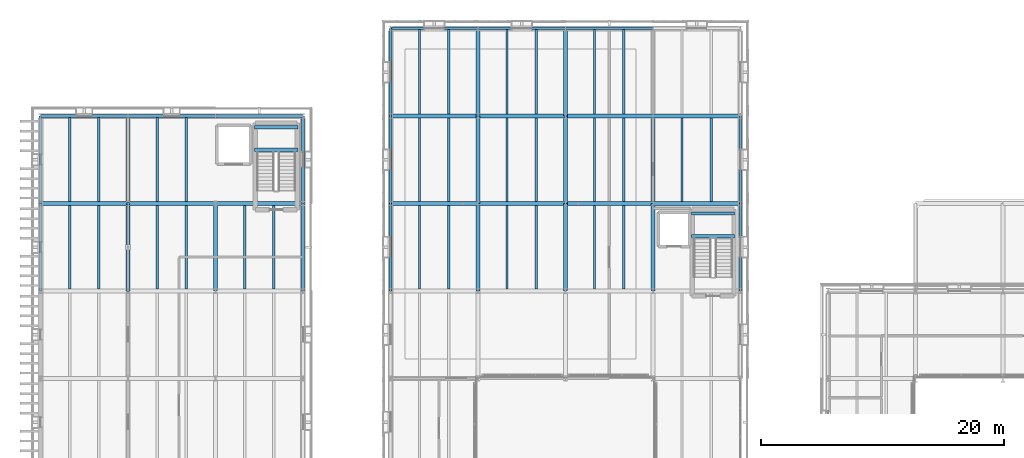
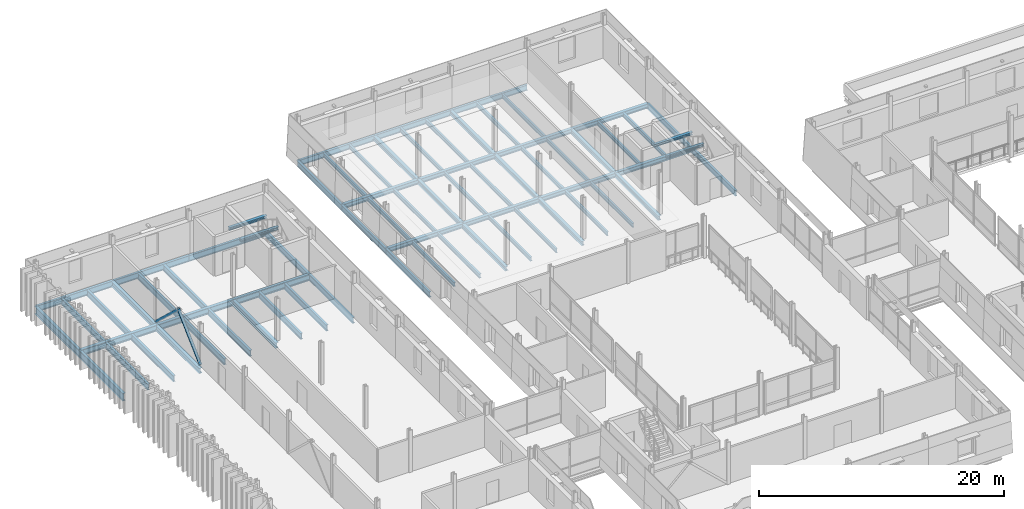
# One storey, part 27 of 115: 71 beams, 2 members.
"""IFC4 building model written with IfcOpenShell, lengths in metres."""

from ifc_helpers import new_model, si_unit, direction, frame, origin, origin_2d, place, context, subcontext, project, spatial, hollow_circle, i_section, extrude, material, material_profile, profile_set, type_object, element, save


model = new_model("IFC4")

# Units and contexts
model_context = context("Model", 3, precision=1e-05, world=origin(), true_north=direction((0.0, 1.0)))
body_context = subcontext(model_context, "Body", "Model", "MODEL_VIEW")
ifc_project = project(units=[si_unit("LENGTHUNIT", "METRE"), si_unit("AREAUNIT", "SQUARE_METRE"), si_unit("VOLUMEUNIT", "CUBIC_METRE"), si_unit("PLANEANGLEUNIT", "RADIAN"), si_unit("MASSUNIT", "GRAM", prefix="KILO")], contexts=[model_context])

# Site, building, storey
site_placement = place(None, origin())
site = spatial("IfcSite", under=ifc_project, at=site_placement, CompositionType="ELEMENT")
building_placement = place(site_placement, origin())
building = spatial("IfcBuilding", under=site, at=building_placement, Name="Narikvali Park Central Library", CompositionType="ELEMENT")
storey_placement = place(building_placement, frame((0.0, 0.0, 10.199951171875)))
storey = spatial("IfcBuildingStorey", under=building, at=storey_placement, Name="L02", CompositionType="ELEMENT", Elevation=10.199951171875)

# Beams
ifc_material = material(Name="Steel S355", Category="steel")
ifc_material_profile_1 = material_profile(ifc_material, i_section(OverallWidth=0.219970703125, OverallDepth=0.60009765625, WebThickness=0.011962890625, FlangeThickness=0.01904296875, FilletRadius=0.02392578125, at=origin_2d()), Name="IPE 600")
ifc_profile_set_1 = profile_set([ifc_material_profile_1], Name="Steel S355")
beam_type_1 = type_object("IfcBeamType", Name="Compact Archive Joist IPE600", PredefinedType="JOIST", material=ifc_profile_set_1)
for number, where, z_axis, x_axis, name in (
    (1, (2.39990234375, 93.75, -0.599853515625), (0.0, 1.0, 0.0), (-1.0, 0.0, 0.0), "V5 L02 Composite Joist 1"),
    (2, (4.800048828125, 93.75, -0.599853515625), (0.0, 1.0, 0.0), (-1.0, 0.0, 0.0), "V5 L02 Composite Joist 2"),
):
    element("IfcBeam", number, at=place(storey_placement, frame(where, z_axis=z_axis, x_axis=x_axis)), inside=storey, type_object=beam_type_1, Name=name, PredefinedType="JOIST", context=body_context, shape_type="SweptSolid", body=[
        extrude(i_section(OverallWidth=0.219970703125, OverallDepth=0.60009765625, WebThickness=0.011962890625, FlangeThickness=0.01904296875, FilletRadius=0.02392578125, at=origin_2d()), origin(), (0.0, 0.0, 1.0), 6.89990234375),
    ])
for number, where, z_axis, x_axis, name in (
    (3, (2.39990234375, 100.949951171875, -0.599853515625), (0.0, 1.0, 0.0), (-1.0, 0.0, 0.0), "V5 L02 Composite Joist 1"),
    (4, (4.800048828125, 100.949951171875, -0.599853515625), (0.0, 1.0, 0.0), (-1.0, 0.0, 0.0), "V5 L02 Composite Joist 2"),
):
    element("IfcBeam", number, at=place(storey_placement, frame(where, z_axis=z_axis, x_axis=x_axis)), inside=storey, type_object=beam_type_1, Name=name, PredefinedType="JOIST", context=body_context, shape_type="SweptSolid", body=[
        extrude(i_section(OverallWidth=0.219970703125, OverallDepth=0.60009765625, WebThickness=0.011962890625, FlangeThickness=0.01904296875, FilletRadius=0.02392578125, at=origin_2d()), origin(), (0.0, 0.0, 1.0), 6.93994140625),
    ])
for number, where, z_axis, x_axis, name in (
    (5, (9.60009765625, 93.75, -0.599853515625), (0.0, 1.0, 0.0), (-1.0, 0.0, 0.0), "V5 L02 Composite Joist 1"),
    (6, (12.0, 93.75, -0.599853515625), (0.0, 1.0, 0.0), (-1.0, 0.0, 0.0), "V5 L02 Composite Joist 2"),
):
    element("IfcBeam", number, at=place(storey_placement, frame(where, z_axis=z_axis, x_axis=x_axis)), inside=storey, type_object=beam_type_1, Name=name, PredefinedType="JOIST", context=body_context, shape_type="SweptSolid", body=[
        extrude(i_section(OverallWidth=0.219970703125, OverallDepth=0.60009765625, WebThickness=0.011962890625, FlangeThickness=0.01904296875, FilletRadius=0.02392578125, at=origin_2d()), origin(), (0.0, 0.0, 1.0), 6.89990234375),
    ])
for number, where, z_axis, x_axis, name in (
    (7, (9.60009765625, 100.949951171875, -0.599853515625), (0.0, 1.0, 0.0), (-1.0, 0.0, 0.0), "V5 L02 Composite Joist 1"),
    (8, (12.0, 100.949951171875, -0.599853515625), (0.0, 1.0, 0.0), (-1.0, 0.0, 0.0), "V5 L02 Composite Joist 2"),
):
    element("IfcBeam", number, at=place(storey_placement, frame(where, z_axis=z_axis, x_axis=x_axis)), inside=storey, type_object=beam_type_1, Name=name, PredefinedType="JOIST", context=body_context, shape_type="SweptSolid", body=[
        extrude(i_section(OverallWidth=0.219970703125, OverallDepth=0.60009765625, WebThickness=0.011962890625, FlangeThickness=0.01904296875, FilletRadius=0.02392578125, at=origin_2d()), origin(), (0.0, 0.0, 1.0), 6.93994140625),
    ])
for number, where, z_axis, x_axis, name in (
    (9, (16.800048828125, 93.75, -0.599853515625), (0.0, 1.0, 0.0), (-1.0, 0.0, 0.0), "V5 L02 Composite Joist 1"),
    (10, (19.199951171875, 93.75, -0.599853515625), (0.0, 1.0, 0.0), (-1.0, 0.0, 0.0), "V5 L02 Composite Joist 2"),
):
    element("IfcBeam", number, at=place(storey_placement, frame(where, z_axis=z_axis, x_axis=x_axis)), inside=storey, type_object=beam_type_1, Name=name, PredefinedType="JOIST", context=body_context, shape_type="SweptSolid", body=[
        extrude(i_section(OverallWidth=0.219970703125, OverallDepth=0.60009765625, WebThickness=0.011962890625, FlangeThickness=0.01904296875, FilletRadius=0.02392578125, at=origin_2d()), origin(), (0.0, 0.0, 1.0), 6.89990234375),
    ])
ifc_material_profile_2 = material_profile(ifc_material, i_section(OverallWidth=0.260009765625, OverallDepth=0.260009765625, WebThickness=0.010009765625, FlangeThickness=0.017578125, FilletRadius=0.02392578125, at=origin_2d()), Name="HEB 260")
ifc_profile_set_2 = profile_set([ifc_material_profile_2], Name="Steel S355")
beam_type_2 = type_object("IfcBeamType", Name="Core Trimmer Girder HEB260", PredefinedType="BEAM", material=ifc_profile_set_2)
for number, where, z_axis, x_axis, name in (
    (11, (53.570068359375, 98.10498046875, 1.77001953125), (1.0, 0.0, 0.0), (0.0, 1.0, 0.0), "ST-08 L02 Landing Trimmer Beam 1-1"),
    (12, (53.570068359375, 99.97998046875, 1.77001953125), (1.0, 0.0, 0.0), (0.0, 1.0, 0.0), "ST-08 L02 Landing Trimmer Beam 1-2"),
):
    element("IfcBeam", number, at=place(storey_placement, frame(where, z_axis=z_axis, x_axis=x_axis)), inside=storey, type_object=beam_type_2, Name=name, PredefinedType="BEAM", context=body_context, shape_type="SweptSolid", body=[
        extrude(i_section(OverallWidth=0.260009765625, OverallDepth=0.260009765625, WebThickness=0.010009765625, FlangeThickness=0.017578125, FilletRadius=0.02392578125, at=origin_2d()), origin(), (0.0, 0.0, 1.0), 3.559814453125),
    ])
ifc_material_profile_3 = material_profile(ifc_material, i_section(OverallWidth=0.280029296875, OverallDepth=0.280029296875, WebThickness=0.010498046875, FlangeThickness=0.01806640625, FilletRadius=0.02392578125, at=origin_2d()), Name="HEB 280")
ifc_profile_set_3 = profile_set([ifc_material_profile_3], Name="Steel S355")
beam_type_3 = type_object("IfcBeamType", Name="Core Trimmer Girder HEB280", PredefinedType="BEAM", material=ifc_profile_set_3)
for number, where, z_axis, x_axis, name in (
    (13, (17.6201171875, 105.205078125, 1.760009765625), (1.0, 0.0, 0.0), (0.0, 1.0, 0.0), "ST-10 L02 Landing Trimmer Beam 1-1"),
    (14, (17.6201171875, 107.080078125, 1.760009765625), (1.0, 0.0, 0.0), (0.0, 1.0, 0.0), "ST-10 L02 Landing Trimmer Beam 1-2"),
):
    element("IfcBeam", number, at=place(storey_placement, frame(where, z_axis=z_axis, x_axis=x_axis)), inside=storey, type_object=beam_type_3, Name=name, PredefinedType="BEAM", context=body_context, shape_type="SweptSolid", body=[
        extrude(i_section(OverallWidth=0.280029296875, OverallDepth=0.280029296875, WebThickness=0.010498046875, FlangeThickness=0.01806640625, FilletRadius=0.02392578125, at=origin_2d()), origin(), (0.0, 0.0, 1.0), 3.559814453125),
    ])
ifc_material_profile_4 = material_profile(ifc_material, i_section(OverallWidth=0.264892578125, OverallDepth=0.7529296875, WebThickness=0.01318359375, FlangeThickness=0.01708984375, FilletRadius=0.01708984375, at=origin_2d()), Name="IPE 750x147")
ifc_profile_set_4 = profile_set([ifc_material_profile_4], Name="Steel S355")
beam_type_4 = type_object("IfcBeamType", Name="Fin Facade Spandrel IPE750", PredefinedType="SPANDREL", material=ifc_profile_set_4)
beam_1_placement = place(storey_placement, frame((0.0, 93.60791015625, -0.676513671875), z_axis=(0.0, 1.0, 0.0), x_axis=(-1.0, 0.0, 0.0)))
element("IfcBeam", 15, at=beam_1_placement, inside=storey, type_object=beam_type_4, Name="V5 L02 Girder Y", PredefinedType="SPANDREL", context=body_context, shape_type="SweptSolid", body=[
    extrude(i_section(OverallWidth=0.264892578125, OverallDepth=0.7529296875, WebThickness=0.01318359375, FlangeThickness=0.01708984375, FilletRadius=0.01708984375, at=origin_2d()), origin(), (0.0, 0.0, 1.0), 7.18408203125),
])
beam_2_placement = place(storey_placement, frame((0.0, 100.80810546875, -0.676513671875), z_axis=(0.0, 1.0, 0.0), x_axis=(-1.0, 0.0, 0.0)))
element("IfcBeam", 16, at=beam_2_placement, inside=storey, type_object=beam_type_4, Name="V5 L02 Girder Y", PredefinedType="SPANDREL", context=body_context, shape_type="SweptSolid", body=[
    extrude(i_section(OverallWidth=0.264892578125, OverallDepth=0.7529296875, WebThickness=0.01318359375, FlangeThickness=0.01708984375, FilletRadius=0.01708984375, at=origin_2d()), origin(), (0.0, 0.0, 1.0), 7.183837890625),
])
ifc_material_profile_5 = material_profile(ifc_material, i_section(OverallWidth=0.181884765625, OverallDepth=0.404052734375, WebThickness=0.009765625, FlangeThickness=0.015380859375, FilletRadius=0.02099609375, at=origin_2d()), Name="IPEO 400")
ifc_profile_set_5 = profile_set([ifc_material_profile_5], Name="Steel S355")
beam_type_5 = type_object("IfcBeamType", Name="Gallery Floor Joist IPEO400", PredefinedType="JOIST", material=ifc_profile_set_5)
for number, where, z_axis, x_axis, name in (
    (17, (31.199951171875, 93.75, -0.48193359375), (0.0, 1.0, 0.0), (-1.0, 0.0, 0.0), "V4 L02 Composite Joist 1"),
    (18, (33.60009765625, 93.75, -0.48193359375), (0.0, 1.0, 0.0), (-1.0, 0.0, 0.0), "V4 L02 Composite Joist 2"),
):
    element("IfcBeam", number, at=place(storey_placement, frame(where, z_axis=z_axis, x_axis=x_axis)), inside=storey, type_object=beam_type_5, Name=name, PredefinedType="JOIST", context=body_context, shape_type="SweptSolid", body=[
        extrude(i_section(OverallWidth=0.181884765625, OverallDepth=0.404052734375, WebThickness=0.009765625, FlangeThickness=0.015380859375, FilletRadius=0.02099609375, at=origin_2d()), origin(), (0.0, 0.0, 1.0), 6.89990234375),
    ])
for number, where, z_axis, x_axis, name in (
    (19, (31.199951171875, 100.949951171875, -0.48193359375), (0.0, 1.0, 0.0), (-1.0, 0.0, 0.0), "V4 L02 Composite Joist 1"),
    (20, (33.60009765625, 100.949951171875, -0.48193359375), (0.0, 1.0, 0.0), (-1.0, 0.0, 0.0), "V4 L02 Composite Joist 2"),
):
    element("IfcBeam", number, at=place(storey_placement, frame(where, z_axis=z_axis, x_axis=x_axis)), inside=storey, type_object=beam_type_5, Name=name, PredefinedType="JOIST", context=body_context, shape_type="SweptSolid", body=[
        extrude(i_section(OverallWidth=0.181884765625, OverallDepth=0.404052734375, WebThickness=0.009765625, FlangeThickness=0.015380859375, FilletRadius=0.02099609375, at=origin_2d()), origin(), (0.0, 0.0, 1.0), 6.900146484375),
    ])
for number, where, z_axis, x_axis, name in (
    (21, (31.199951171875, 108.14990234375, -0.48193359375), (0.0, 1.0, 0.0), (-1.0, 0.0, 0.0), "V4 L02 Composite Joist 1"),
    (22, (33.60009765625, 108.14990234375, -0.48193359375), (0.0, 1.0, 0.0), (-1.0, 0.0, 0.0), "V4 L02 Composite Joist 2"),
):
    element("IfcBeam", number, at=place(storey_placement, frame(where, z_axis=z_axis, x_axis=x_axis)), inside=storey, type_object=beam_type_5, Name=name, PredefinedType="JOIST", context=body_context, shape_type="SweptSolid", body=[
        extrude(i_section(OverallWidth=0.181884765625, OverallDepth=0.404052734375, WebThickness=0.009765625, FlangeThickness=0.015380859375, FilletRadius=0.02099609375, at=origin_2d()), origin(), (0.0, 0.0, 1.0), 6.945068359375),
    ])
for number, where, z_axis, x_axis, name in (
    (23, (38.39990234375, 93.75, -0.48193359375), (0.0, 1.0, 0.0), (-1.0, 0.0, 0.0), "V4 L02 Composite Joist 1"),
    (24, (40.800048828125, 93.75, -0.48193359375), (0.0, 1.0, 0.0), (-1.0, 0.0, 0.0), "V4 L02 Composite Joist 2"),
):
    element("IfcBeam", number, at=place(storey_placement, frame(where, z_axis=z_axis, x_axis=x_axis)), inside=storey, type_object=beam_type_5, Name=name, PredefinedType="JOIST", context=body_context, shape_type="SweptSolid", body=[
        extrude(i_section(OverallWidth=0.181884765625, OverallDepth=0.404052734375, WebThickness=0.009765625, FlangeThickness=0.015380859375, FilletRadius=0.02099609375, at=origin_2d()), origin(), (0.0, 0.0, 1.0), 6.89990234375),
    ])
for number, where, z_axis, x_axis, name in (
    (25, (38.39990234375, 100.949951171875, -0.48193359375), (0.0, 1.0, 0.0), (-1.0, 0.0, 0.0), "V4 L02 Composite Joist 1"),
    (26, (40.800048828125, 100.949951171875, -0.48193359375), (0.0, 1.0, 0.0), (-1.0, 0.0, 0.0), "V4 L02 Composite Joist 2"),
):
    element("IfcBeam", number, at=place(storey_placement, frame(where, z_axis=z_axis, x_axis=x_axis)), inside=storey, type_object=beam_type_5, Name=name, PredefinedType="JOIST", context=body_context, shape_type="SweptSolid", body=[
        extrude(i_section(OverallWidth=0.181884765625, OverallDepth=0.404052734375, WebThickness=0.009765625, FlangeThickness=0.015380859375, FilletRadius=0.02099609375, at=origin_2d()), origin(), (0.0, 0.0, 1.0), 6.900146484375),
    ])
for number, where, z_axis, x_axis, name in (
    (27, (38.39990234375, 108.14990234375, -0.48193359375), (0.0, 1.0, 0.0), (-1.0, 0.0, 0.0), "V4 L02 Composite Joist 1"),
    (28, (40.800048828125, 108.14990234375, -0.48193359375), (0.0, 1.0, 0.0), (-1.0, 0.0, 0.0), "V4 L02 Composite Joist 2"),
):
    element("IfcBeam", number, at=place(storey_placement, frame(where, z_axis=z_axis, x_axis=x_axis)), inside=storey, type_object=beam_type_5, Name=name, PredefinedType="JOIST", context=body_context, shape_type="SweptSolid", body=[
        extrude(i_section(OverallWidth=0.181884765625, OverallDepth=0.404052734375, WebThickness=0.009765625, FlangeThickness=0.015380859375, FilletRadius=0.02099609375, at=origin_2d()), origin(), (0.0, 0.0, 1.0), 6.945068359375),
    ])
for number, where, z_axis, x_axis, name in (
    (29, (45.60009765625, 93.75, -0.48193359375), (0.0, 1.0, 0.0), (-1.0, 0.0, 0.0), "V4 L02 Composite Joist 1"),
    (30, (48.0, 93.75, -0.48193359375), (0.0, 1.0, 0.0), (-1.0, 0.0, 0.0), "V4 L02 Composite Joist 2"),
):
    element("IfcBeam", number, at=place(storey_placement, frame(where, z_axis=z_axis, x_axis=x_axis)), inside=storey, type_object=beam_type_5, Name=name, PredefinedType="JOIST", context=body_context, shape_type="SweptSolid", body=[
        extrude(i_section(OverallWidth=0.181884765625, OverallDepth=0.404052734375, WebThickness=0.009765625, FlangeThickness=0.015380859375, FilletRadius=0.02099609375, at=origin_2d()), origin(), (0.0, 0.0, 1.0), 6.89990234375),
    ])
for number, where, z_axis, x_axis, name in (
    (31, (45.60009765625, 100.949951171875, -0.48193359375), (0.0, 1.0, 0.0), (-1.0, 0.0, 0.0), "V4 L02 Composite Joist 1"),
    (32, (48.0, 100.949951171875, -0.48193359375), (0.0, 1.0, 0.0), (-1.0, 0.0, 0.0), "V4 L02 Composite Joist 2"),
):
    element("IfcBeam", number, at=place(storey_placement, frame(where, z_axis=z_axis, x_axis=x_axis)), inside=storey, type_object=beam_type_5, Name=name, PredefinedType="JOIST", context=body_context, shape_type="SweptSolid", body=[
        extrude(i_section(OverallWidth=0.181884765625, OverallDepth=0.404052734375, WebThickness=0.009765625, FlangeThickness=0.015380859375, FilletRadius=0.02099609375, at=origin_2d()), origin(), (0.0, 0.0, 1.0), 6.900146484375),
    ])
for number, where, z_axis, x_axis, name in (
    (33, (45.60009765625, 108.14990234375, -0.48193359375), (0.0, 1.0, 0.0), (-1.0, 0.0, 0.0), "V4 L02 Composite Joist 1"),
    (34, (48.0, 108.14990234375, -0.48193359375), (0.0, 1.0, 0.0), (-1.0, 0.0, 0.0), "V4 L02 Composite Joist 2"),
):
    element("IfcBeam", number, at=place(storey_placement, frame(where, z_axis=z_axis, x_axis=x_axis)), inside=storey, type_object=beam_type_5, Name=name, PredefinedType="JOIST", context=body_context, shape_type="SweptSolid", body=[
        extrude(i_section(OverallWidth=0.181884765625, OverallDepth=0.404052734375, WebThickness=0.009765625, FlangeThickness=0.015380859375, FilletRadius=0.02099609375, at=origin_2d()), origin(), (0.0, 0.0, 1.0), 6.945068359375),
    ])
for number, where, z_axis, x_axis, name in (
    (35, (52.800048828125, 100.949951171875, -0.48193359375), (0.0, 1.0, 0.0), (-1.0, 0.0, 0.0), "V4 L02 Composite Joist 1"),
    (36, (55.199951171875, 100.949951171875, -0.48193359375), (0.0, 1.0, 0.0), (-1.0, 0.0, 0.0), "V4 L02 Composite Joist 2"),
):
    element("IfcBeam", number, at=place(storey_placement, frame(where, z_axis=z_axis, x_axis=x_axis)), inside=storey, type_object=beam_type_5, Name=name, PredefinedType="JOIST", context=body_context, shape_type="SweptSolid", body=[
        extrude(i_section(OverallWidth=0.181884765625, OverallDepth=0.404052734375, WebThickness=0.009765625, FlangeThickness=0.015380859375, FilletRadius=0.02099609375, at=origin_2d()), origin(), (0.0, 0.0, 1.0), 6.900146484375),
    ])
ifc_material_profile_6 = material_profile(ifc_material, i_section(OverallWidth=0.2099609375, OverallDepth=0.550048828125, WebThickness=0.010986328125, FlangeThickness=0.01708984375, FilletRadius=0.02392578125, at=origin_2d()), Name="IPE 550")
ifc_profile_set_6 = profile_set([ifc_material_profile_6], Name="Steel S355")
beam_type_6 = type_object("IfcBeamType", Name="Perimeter Spandrel IPE550", PredefinedType="SPANDREL", material=ifc_profile_set_6)
for number, where, z_axis, x_axis, name in (
    (37, (28.80810546875, 115.199951171875, -0.554931640625), (1.0, 0.0, 0.0), (0.0, 1.0, 0.0), "V4 L02 Girder X"),
    (38, (36.008056640625, 115.199951171875, -0.554931640625), (1.0, 0.0, 0.0), (0.0, 1.0, 0.0), "V4 L02 Girder X"),
):
    element("IfcBeam", number, at=place(storey_placement, frame(where, z_axis=z_axis, x_axis=x_axis)), inside=storey, type_object=beam_type_6, Name=name, PredefinedType="SPANDREL", context=body_context, shape_type="SweptSolid", body=[
        extrude(i_section(OverallWidth=0.2099609375, OverallDepth=0.550048828125, WebThickness=0.010986328125, FlangeThickness=0.01708984375, FilletRadius=0.02392578125, at=origin_2d()), origin(), (0.0, 0.0, 1.0), 7.183837890625),
    ])
for number, where, z_axis, x_axis, name in (
    (39, (43.2080078125, 115.199951171875, -0.554931640625), (1.0, 0.0, 0.0), (0.0, 1.0, 0.0), "V4 L02 Girder X"),
    (40, (28.800048828125, 93.60791015625, -0.554931640625), (0.0, 1.0, 0.0), (-1.0, 0.0, 0.0), "V4 L02 Girder Y"),
):
    element("IfcBeam", number, at=place(storey_placement, frame(where, z_axis=z_axis, x_axis=x_axis)), inside=storey, type_object=beam_type_6, Name=name, PredefinedType="SPANDREL", context=body_context, shape_type="SweptSolid", body=[
        extrude(i_section(OverallWidth=0.2099609375, OverallDepth=0.550048828125, WebThickness=0.010986328125, FlangeThickness=0.01708984375, FilletRadius=0.02392578125, at=origin_2d()), origin(), (0.0, 0.0, 1.0), 7.18408203125),
    ])
for number, where, z_axis, x_axis, name in (
    (41, (28.800048828125, 100.80810546875, -0.554931640625), (0.0, 1.0, 0.0), (-1.0, 0.0, 0.0), "V4 L02 Girder Y"),
    (42, (28.800048828125, 108.008056640625, -0.554931640625), (0.0, 1.0, 0.0), (-1.0, 0.0, 0.0), "V4 L02 Girder Y"),
):
    element("IfcBeam", number, at=place(storey_placement, frame(where, z_axis=z_axis, x_axis=x_axis)), inside=storey, type_object=beam_type_6, Name=name, PredefinedType="SPANDREL", context=body_context, shape_type="SweptSolid", body=[
        extrude(i_section(OverallWidth=0.2099609375, OverallDepth=0.550048828125, WebThickness=0.010986328125, FlangeThickness=0.01708984375, FilletRadius=0.02392578125, at=origin_2d()), origin(), (0.0, 0.0, 1.0), 7.183837890625),
    ])
beam_3_placement = place(storey_placement, frame((57.60009765625, 93.60791015625, -0.554931640625), z_axis=(0.0, 1.0, 0.0), x_axis=(-1.0, 0.0, 0.0)))
element("IfcBeam", 43, at=beam_3_placement, inside=storey, type_object=beam_type_6, Name="V4 L02 Girder Y", PredefinedType="SPANDREL", context=body_context, shape_type="SweptSolid", body=[
    extrude(i_section(OverallWidth=0.2099609375, OverallDepth=0.550048828125, WebThickness=0.010986328125, FlangeThickness=0.01708984375, FilletRadius=0.02392578125, at=origin_2d()), origin(), (0.0, 0.0, 1.0), 7.18408203125),
])
beam_4_placement = place(storey_placement, frame((57.60009765625, 100.80810546875, -0.554931640625), z_axis=(0.0, 1.0, 0.0), x_axis=(-1.0, 0.0, 0.0)))
element("IfcBeam", 44, at=beam_4_placement, inside=storey, type_object=beam_type_6, Name="V4 L02 Girder Y", PredefinedType="SPANDREL", context=body_context, shape_type="SweptSolid", body=[
    extrude(i_section(OverallWidth=0.2099609375, OverallDepth=0.550048828125, WebThickness=0.010986328125, FlangeThickness=0.01708984375, FilletRadius=0.02392578125, at=origin_2d()), origin(), (0.0, 0.0, 1.0), 7.183837890625),
])
ifc_material_profile_7 = material_profile(ifc_material, i_section(OverallWidth=0.219970703125, OverallDepth=0.60009765625, WebThickness=0.011962890625, FlangeThickness=0.01904296875, FilletRadius=0.02392578125, at=origin_2d()), Name="IPE 600")
ifc_profile_set_7 = profile_set([ifc_material_profile_7], Name="Steel S355")
beam_type_7 = type_object("IfcBeamType", Name="Perimeter Spandrel IPE600", PredefinedType="SPANDREL", material=ifc_profile_set_7)
beam_5_placement = place(storey_placement, frame((0.008056640625, 108.0, -0.599853515625), z_axis=(1.0, 0.0, 0.0), x_axis=(0.0, 1.0, 0.0)))
element("IfcBeam", 45, at=beam_5_placement, inside=storey, type_object=beam_type_7, Name="V5 L02 Girder X", PredefinedType="SPANDREL", context=body_context, shape_type="SweptSolid", body=[
    extrude(i_section(OverallWidth=0.219970703125, OverallDepth=0.60009765625, WebThickness=0.011962890625, FlangeThickness=0.01904296875, FilletRadius=0.02392578125, at=origin_2d()), origin(), (0.0, 0.0, 1.0), 7.183837890625),
])
for number, where, z_axis, x_axis, name in (
    (46, (7.2080078125, 108.0, -0.599853515625), (1.0, 0.0, 0.0), (0.0, 1.0, 0.0), "V5 L02 Girder X"),
    (47, (14.407958984375, 108.0, -0.599853515625), (1.0, 0.0, 0.0), (0.0, 1.0, 0.0), "V5 L02 Girder X"),
    (48, (21.60009765625, 93.60791015625, -0.599853515625), (0.0, 1.0, 0.0), (-1.0, 0.0, 0.0), "V5 L02 Girder Y"),
):
    element("IfcBeam", number, at=place(storey_placement, frame(where, z_axis=z_axis, x_axis=x_axis)), inside=storey, type_object=beam_type_7, Name=name, PredefinedType="SPANDREL", context=body_context, shape_type="SweptSolid", body=[
        extrude(i_section(OverallWidth=0.219970703125, OverallDepth=0.60009765625, WebThickness=0.011962890625, FlangeThickness=0.01904296875, FilletRadius=0.02392578125, at=origin_2d()), origin(), (0.0, 0.0, 1.0), 7.18408203125),
    ])
beam_6_placement = place(storey_placement, frame((21.60009765625, 100.80810546875, -0.599853515625), z_axis=(0.0, 1.0, 0.0), x_axis=(-1.0, 0.0, 0.0)))
element("IfcBeam", 49, at=beam_6_placement, inside=storey, type_object=beam_type_7, Name="V5 L02 Girder Y", PredefinedType="SPANDREL", context=body_context, shape_type="SweptSolid", body=[
    extrude(i_section(OverallWidth=0.219970703125, OverallDepth=0.60009765625, WebThickness=0.011962890625, FlangeThickness=0.01904296875, FilletRadius=0.02392578125, at=origin_2d()), origin(), (0.0, 0.0, 1.0), 7.183837890625),
])
ifc_material_profile_8 = material_profile(ifc_material, i_section(OverallWidth=0.300048828125, OverallDepth=0.43994140625, WebThickness=0.011474609375, FlangeThickness=0.02099609375, FilletRadius=0.027099609375, at=origin_2d()), Name="HEA 450")
ifc_profile_set_8 = profile_set([ifc_material_profile_8], Name="Steel S355")
beam_type_8 = type_object("IfcBeamType", Name="Primary Girder HEA450", PredefinedType="BEAM", material=ifc_profile_set_8)
for number, where, z_axis, x_axis, name in (
    (50, (28.80810546875, 100.800048828125, -0.5), (1.0, 0.0, 0.0), (0.0, 1.0, 0.0), "V4 L02 Girder X"),
    (51, (36.008056640625, 100.800048828125, -0.5), (1.0, 0.0, 0.0), (0.0, 1.0, 0.0), "V4 L02 Girder X"),
):
    element("IfcBeam", number, at=place(storey_placement, frame(where, z_axis=z_axis, x_axis=x_axis)), inside=storey, type_object=beam_type_8, Name=name, PredefinedType="BEAM", context=body_context, shape_type="SweptSolid", body=[
        extrude(i_section(OverallWidth=0.300048828125, OverallDepth=0.43994140625, WebThickness=0.011474609375, FlangeThickness=0.02099609375, FilletRadius=0.027099609375, at=origin_2d()), origin(), (0.0, 0.0, 1.0), 7.183837890625),
    ])
for number, where, z_axis, x_axis, name in (
    (52, (43.2080078125, 100.800048828125, -0.5), (1.0, 0.0, 0.0), (0.0, 1.0, 0.0), "V4 L02 Girder X"),
    (53, (50.407958984375, 100.800048828125, -0.5), (1.0, 0.0, 0.0), (0.0, 1.0, 0.0), "V4 L02 Girder X"),
):
    element("IfcBeam", number, at=place(storey_placement, frame(where, z_axis=z_axis, x_axis=x_axis)), inside=storey, type_object=beam_type_8, Name=name, PredefinedType="BEAM", context=body_context, shape_type="SweptSolid", body=[
        extrude(i_section(OverallWidth=0.300048828125, OverallDepth=0.43994140625, WebThickness=0.011474609375, FlangeThickness=0.02099609375, FilletRadius=0.027099609375, at=origin_2d()), origin(), (0.0, 0.0, 1.0), 7.18408203125),
    ])
for number, where, z_axis, x_axis, name in (
    (54, (28.80810546875, 108.0, -0.5), (1.0, 0.0, 0.0), (0.0, 1.0, 0.0), "V4 L02 Girder X"),
    (55, (36.008056640625, 108.0, -0.5), (1.0, 0.0, 0.0), (0.0, 1.0, 0.0), "V4 L02 Girder X"),
):
    element("IfcBeam", number, at=place(storey_placement, frame(where, z_axis=z_axis, x_axis=x_axis)), inside=storey, type_object=beam_type_8, Name=name, PredefinedType="BEAM", context=body_context, shape_type="SweptSolid", body=[
        extrude(i_section(OverallWidth=0.300048828125, OverallDepth=0.43994140625, WebThickness=0.011474609375, FlangeThickness=0.02099609375, FilletRadius=0.027099609375, at=origin_2d()), origin(), (0.0, 0.0, 1.0), 7.183837890625),
    ])
for number, where, z_axis, x_axis, name in (
    (56, (43.2080078125, 108.0, -0.5), (1.0, 0.0, 0.0), (0.0, 1.0, 0.0), "V4 L02 Girder X"),
    (57, (50.407958984375, 108.0, -0.5), (1.0, 0.0, 0.0), (0.0, 1.0, 0.0), "V4 L02 Girder X"),
    (58, (36.0, 93.60791015625, -0.5), (0.0, 1.0, 0.0), (-1.0, 0.0, 0.0), "V4 L02 Girder Y"),
):
    element("IfcBeam", number, at=place(storey_placement, frame(where, z_axis=z_axis, x_axis=x_axis)), inside=storey, type_object=beam_type_8, Name=name, PredefinedType="BEAM", context=body_context, shape_type="SweptSolid", body=[
        extrude(i_section(OverallWidth=0.300048828125, OverallDepth=0.43994140625, WebThickness=0.011474609375, FlangeThickness=0.02099609375, FilletRadius=0.027099609375, at=origin_2d()), origin(), (0.0, 0.0, 1.0), 7.18408203125),
    ])
for number, where, z_axis, x_axis, name in (
    (59, (36.0, 100.80810546875, -0.5), (0.0, 1.0, 0.0), (-1.0, 0.0, 0.0), "V4 L02 Girder Y"),
    (60, (36.0, 108.008056640625, -0.5), (0.0, 1.0, 0.0), (-1.0, 0.0, 0.0), "V4 L02 Girder Y"),
):
    element("IfcBeam", number, at=place(storey_placement, frame(where, z_axis=z_axis, x_axis=x_axis)), inside=storey, type_object=beam_type_8, Name=name, PredefinedType="BEAM", context=body_context, shape_type="SweptSolid", body=[
        extrude(i_section(OverallWidth=0.300048828125, OverallDepth=0.43994140625, WebThickness=0.011474609375, FlangeThickness=0.02099609375, FilletRadius=0.027099609375, at=origin_2d()), origin(), (0.0, 0.0, 1.0), 7.183837890625),
    ])
beam_7_placement = place(storey_placement, frame((43.199951171875, 93.60791015625, -0.5), z_axis=(0.0, 1.0, 0.0), x_axis=(-1.0, 0.0, 0.0)))
element("IfcBeam", 61, at=beam_7_placement, inside=storey, type_object=beam_type_8, Name="V4 L02 Girder Y", PredefinedType="BEAM", context=body_context, shape_type="SweptSolid", body=[
    extrude(i_section(OverallWidth=0.300048828125, OverallDepth=0.43994140625, WebThickness=0.011474609375, FlangeThickness=0.02099609375, FilletRadius=0.027099609375, at=origin_2d()), origin(), (0.0, 0.0, 1.0), 7.18408203125),
])
for number, where, z_axis, x_axis, name in (
    (62, (43.199951171875, 100.80810546875, -0.5), (0.0, 1.0, 0.0), (-1.0, 0.0, 0.0), "V4 L02 Girder Y"),
    (63, (43.199951171875, 108.008056640625, -0.5), (0.0, 1.0, 0.0), (-1.0, 0.0, 0.0), "V4 L02 Girder Y"),
):
    element("IfcBeam", number, at=place(storey_placement, frame(where, z_axis=z_axis, x_axis=x_axis)), inside=storey, type_object=beam_type_8, Name=name, PredefinedType="BEAM", context=body_context, shape_type="SweptSolid", body=[
        extrude(i_section(OverallWidth=0.300048828125, OverallDepth=0.43994140625, WebThickness=0.011474609375, FlangeThickness=0.02099609375, FilletRadius=0.027099609375, at=origin_2d()), origin(), (0.0, 0.0, 1.0), 7.183837890625),
    ])
beam_8_placement = place(storey_placement, frame((50.39990234375, 93.60791015625, -0.5), z_axis=(0.0, 1.0, 0.0), x_axis=(-1.0, 0.0, 0.0)))
element("IfcBeam", 64, at=beam_8_placement, inside=storey, type_object=beam_type_8, Name="V4 L02 Girder Y", PredefinedType="BEAM", context=body_context, shape_type="SweptSolid", body=[
    extrude(i_section(OverallWidth=0.300048828125, OverallDepth=0.43994140625, WebThickness=0.011474609375, FlangeThickness=0.02099609375, FilletRadius=0.027099609375, at=origin_2d()), origin(), (0.0, 0.0, 1.0), 7.18408203125),
])
beam_9_placement = place(storey_placement, frame((50.39990234375, 100.80810546875, -0.5), z_axis=(0.0, 1.0, 0.0), x_axis=(-1.0, 0.0, 0.0)))
element("IfcBeam", 65, at=beam_9_placement, inside=storey, type_object=beam_type_8, Name="V4 L02 Girder Y", PredefinedType="BEAM", context=body_context, shape_type="SweptSolid", body=[
    extrude(i_section(OverallWidth=0.300048828125, OverallDepth=0.43994140625, WebThickness=0.011474609375, FlangeThickness=0.02099609375, FilletRadius=0.027099609375, at=origin_2d()), origin(), (0.0, 0.0, 1.0), 7.183837890625),
])
ifc_material_profile_9 = material_profile(ifc_material, i_section(OverallWidth=0.300048828125, OverallDepth=0.5400390625, WebThickness=0.012451171875, FlangeThickness=0.02392578125, FilletRadius=0.027099609375, at=origin_2d()), Name="HEA 550")
ifc_profile_set_9 = profile_set([ifc_material_profile_9], Name="Steel S355")
beam_type_9 = type_object("IfcBeamType", Name="Primary Girder HEA550", PredefinedType="BEAM", material=ifc_profile_set_9)
beam_10_placement = place(storey_placement, frame((7.199951171875, 93.60791015625, -0.570068359375), z_axis=(0.0, 1.0, 0.0), x_axis=(-1.0, 0.0, 0.0)))
element("IfcBeam", 66, at=beam_10_placement, inside=storey, type_object=beam_type_9, Name="V5 L02 Girder Y", PredefinedType="BEAM", context=body_context, shape_type="SweptSolid", body=[
    extrude(i_section(OverallWidth=0.300048828125, OverallDepth=0.5400390625, WebThickness=0.012451171875, FlangeThickness=0.02392578125, FilletRadius=0.027099609375, at=origin_2d()), origin(), (0.0, 0.0, 1.0), 7.18408203125),
])
beam_11_placement = place(storey_placement, frame((7.199951171875, 100.80810546875, -0.570068359375), z_axis=(0.0, 1.0, 0.0), x_axis=(-1.0, 0.0, 0.0)))
element("IfcBeam", 67, at=beam_11_placement, inside=storey, type_object=beam_type_9, Name="V5 L02 Girder Y", PredefinedType="BEAM", context=body_context, shape_type="SweptSolid", body=[
    extrude(i_section(OverallWidth=0.300048828125, OverallDepth=0.5400390625, WebThickness=0.012451171875, FlangeThickness=0.02392578125, FilletRadius=0.027099609375, at=origin_2d()), origin(), (0.0, 0.0, 1.0), 7.183837890625),
])
beam_12_placement = place(storey_placement, frame((14.39990234375, 93.60791015625, -0.570068359375), z_axis=(0.0, 1.0, 0.0), x_axis=(-1.0, 0.0, 0.0)))
element("IfcBeam", 68, at=beam_12_placement, inside=storey, type_object=beam_type_9, Name="V5 L02 Girder Y", PredefinedType="BEAM", context=body_context, shape_type="SweptSolid", body=[
    extrude(i_section(OverallWidth=0.300048828125, OverallDepth=0.5400390625, WebThickness=0.012451171875, FlangeThickness=0.02392578125, FilletRadius=0.027099609375, at=origin_2d()), origin(), (0.0, 0.0, 1.0), 7.18408203125),
])
ifc_material_profile_10 = material_profile(ifc_material, i_section(OverallWidth=0.300048828125, OverallDepth=0.60009765625, WebThickness=0.015380859375, FlangeThickness=0.030029296875, FilletRadius=0.027099609375, at=origin_2d()), Name="HEB 600")
ifc_profile_set_10 = profile_set([ifc_material_profile_10], Name="Steel S355")
beam_type_10 = type_object("IfcBeamType", Name="Primary Stack Girder HEB600", PredefinedType="BEAM", material=ifc_profile_set_10)
beam_13_placement = place(storey_placement, frame((0.008056640625, 100.800048828125, -0.599853515625), z_axis=(1.0, 0.0, 0.0), x_axis=(0.0, 1.0, 0.0)))
element("IfcBeam", 69, at=beam_13_placement, inside=storey, type_object=beam_type_10, Name="V5 L02 Girder X", PredefinedType="BEAM", context=body_context, shape_type="SweptSolid", body=[
    extrude(i_section(OverallWidth=0.300048828125, OverallDepth=0.60009765625, WebThickness=0.015380859375, FlangeThickness=0.030029296875, FilletRadius=0.027099609375, at=origin_2d()), origin(), (0.0, 0.0, 1.0), 7.183837890625),
])
for number, where, z_axis, x_axis, name in (
    (70, (7.2080078125, 100.800048828125, -0.599853515625), (1.0, 0.0, 0.0), (0.0, 1.0, 0.0), "V5 L02 Girder X"),
    (71, (14.407958984375, 100.800048828125, -0.599853515625), (1.0, 0.0, 0.0), (0.0, 1.0, 0.0), "V5 L02 Girder X"),
):
    element("IfcBeam", number, at=place(storey_placement, frame(where, z_axis=z_axis, x_axis=x_axis)), inside=storey, type_object=beam_type_10, Name=name, PredefinedType="BEAM", context=body_context, shape_type="SweptSolid", body=[
        extrude(i_section(OverallWidth=0.300048828125, OverallDepth=0.60009765625, WebThickness=0.015380859375, FlangeThickness=0.030029296875, FilletRadius=0.027099609375, at=origin_2d()), origin(), (0.0, 0.0, 1.0), 7.18408203125),
    ])

# Members
ifc_material_profile_11 = material_profile(ifc_material, hollow_circle(Radius=0.136474609375, WallThickness=0.012451171875, at=origin_2d()), Name="CHS 273x12.5")
ifc_profile_set_11 = profile_set([ifc_material_profile_11], Name="Steel S355")
member_type = type_object("IfcMemberType", Name="Seismic Chevron Brace CHS273", PredefinedType="BRACE", material=ifc_profile_set_11)
for number, where, z_axis, x_axis, name in (
    (72, (7.199951171875, 93.614990234375, 0.01513671875), (0.0, 0.729122080593, 0.684383658186), (-1.0, 0.0, 0.0), "V5 L02 Seismic Chevron Brace A"),
    (73, (7.199951171875, 100.784912109375, 0.01513671875), (0.0, -0.729122080593, 0.684383658186), (1.0, 0.0, 0.0), "V5 L02 Seismic Chevron Brace B"),
):
    element("IfcMember", number, at=place(storey_placement, frame(where, z_axis=z_axis, x_axis=x_axis)), inside=storey, type_object=member_type, Name=name, PredefinedType="BRACE", context=body_context, shape_type="SweptSolid", body=[
        extrude(hollow_circle(Radius=0.136474609375, WallThickness=0.012451171875, at=origin_2d()), origin(), (0.0, 0.0, 1.0), 4.916748046875),
    ])

save(model, "model.ifc")
